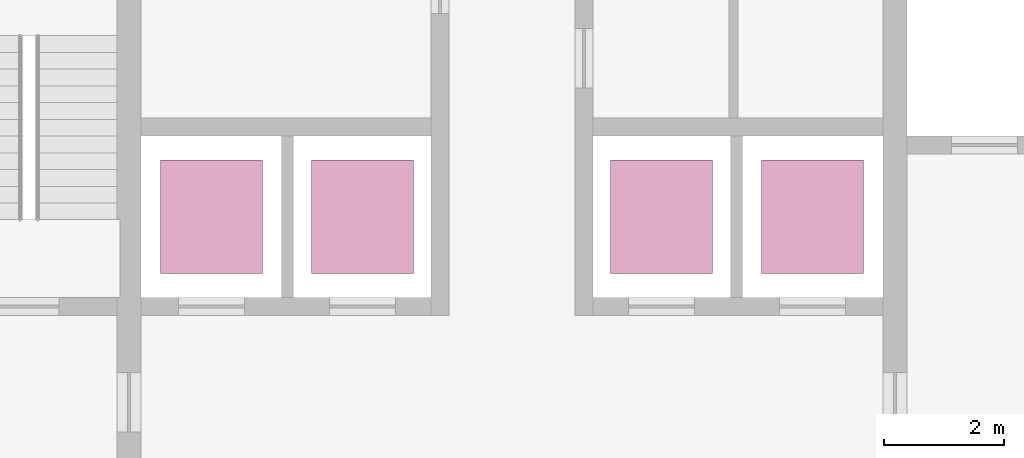
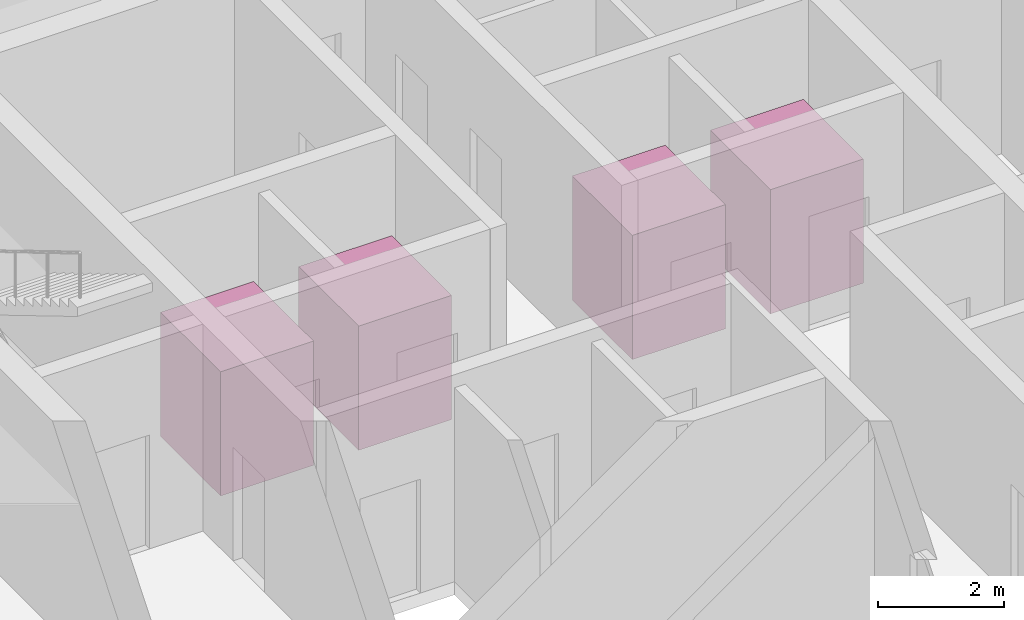
# One storey, part 22 of 22: 4 transport elements.
"""IFC4 building model written with IfcOpenShell, lengths in metres."""

from ifc_helpers import new_model, si_unit, direction, frame, origin, origin_2d, place, context, subcontext, project, spatial, rectangle, extrude, material, type_object, element, save


model = new_model("IFC4")

# Units and contexts
model_context = context("Model", 3, precision=1e-05, world=origin(), true_north=direction((0.0, 1.0)))
body_context = subcontext(model_context, "Body", "Model", "MODEL_VIEW")
ifc_project = project(units=[si_unit("LENGTHUNIT", "METRE"), si_unit("AREAUNIT", "SQUARE_METRE"), si_unit("VOLUMEUNIT", "CUBIC_METRE"), si_unit("PLANEANGLEUNIT", "RADIAN"), si_unit("MASSUNIT", "GRAM", prefix="KILO")], contexts=[model_context])

# Site, building, storey
site_placement = place(None, origin())
site = spatial("IfcSite", under=ifc_project, at=site_placement, CompositionType="ELEMENT")
building_placement = place(site_placement, origin())
building = spatial("IfcBuilding", under=site, at=building_placement, Name="Golbaran Civic Tower", CompositionType="ELEMENT")
storey_placement = place(building_placement, frame((0.0, 0.0, 155.0)))
storey = spatial("IfcBuildingStorey", under=building, at=storey_placement, Name="L37", CompositionType="ELEMENT", Elevation=155.0)

# Transport elements
ifc_material = material(Name="Steel car, stainless steel finish", Category="steel")
transport_element_type = type_object("IfcTransportElementType", Name="PASSENGER LIFT 1350 KG", PredefinedType="ELEVATOR", material=ifc_material)
for number, where, z_axis, x_axis, name in (
    (1, (-5.02490234375, 3.10009765625, 0.0), (0.0, 0.0, 1.0), (1.0, 0.0, 0.0), "Lift Z1H"),
    (2, (-2.5, 3.10009765625, 0.0), (0.0, 0.0, 1.0), (1.0, 0.0, 0.0), "Lift Z2H"),
    (3, (2.5, 3.10009765625, 0.0), (0.0, 0.0, 1.0), (1.0, 0.0, 0.0), "Lift Z3H"),
    (4, (5.02490234375, 3.10009765625, 0.0), (0.0, 0.0, 1.0), (1.0, 0.0, 0.0), "Lift Z4H"),
):
    element("IfcTransportElement", number, at=place(storey_placement, frame(where, z_axis=z_axis, x_axis=x_axis)), inside=storey, type_object=transport_element_type, Name=name, PredefinedType="ELEVATOR", context=body_context, shape_type="SweptSolid", body=[
        extrude(rectangle(XDim=1.699951171875, YDim=1.89990234375, at=origin_2d()), origin(), (0.0, 0.0, 1.0), 2.39990234375),
    ])

save(model, "model.ifc")
